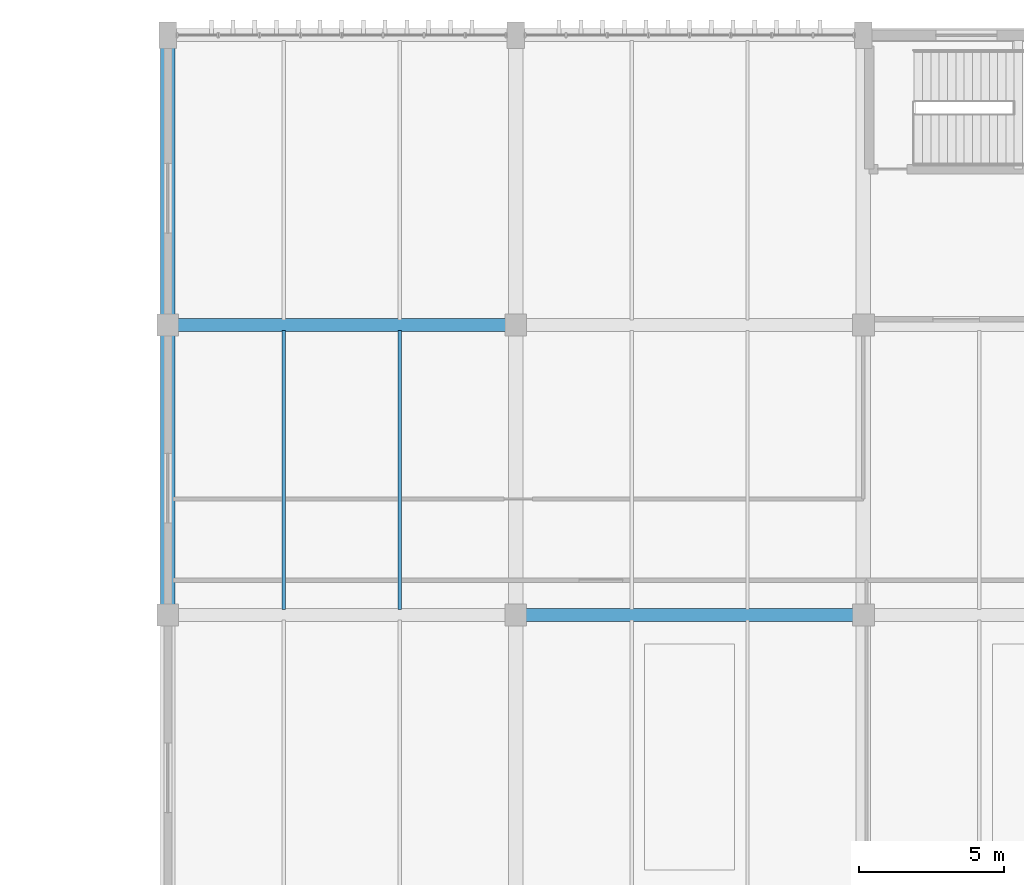
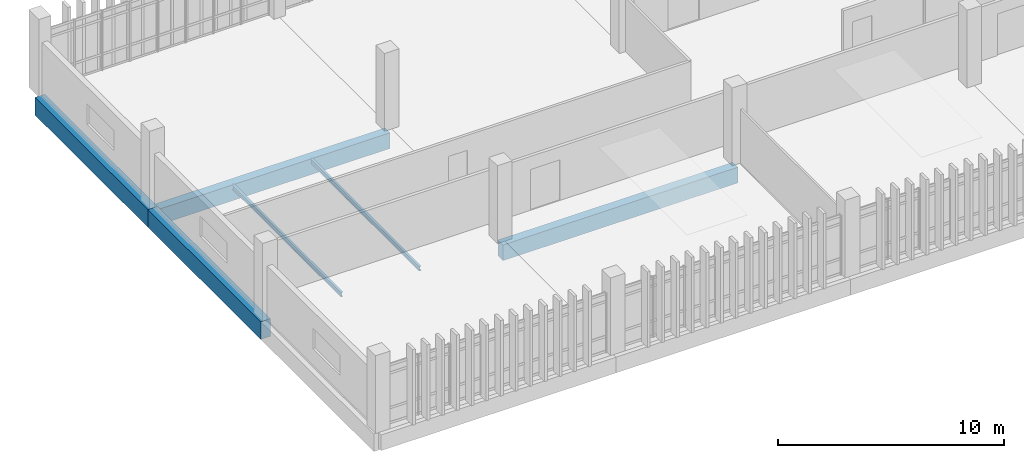
# One storey, part 28 of 111: 6 beams.
"""IFC4 building model written with IfcOpenShell, lengths in metres."""

from ifc_helpers import new_model, si_unit, direction, frame, origin, origin_2d, place, context, subcontext, project, spatial, rectangle, i_section, extrude, material, material_profile, profile_set, type_object, element, save


model = new_model("IFC4")

# Units and contexts
model_context = context("Model", 3, precision=1e-05, world=origin(), true_north=direction((0.0, 1.0)))
body_context = subcontext(model_context, "Body", "Model", "MODEL_VIEW")
ifc_project = project(units=[si_unit("LENGTHUNIT", "METRE"), si_unit("AREAUNIT", "SQUARE_METRE"), si_unit("VOLUMEUNIT", "CUBIC_METRE"), si_unit("PLANEANGLEUNIT", "RADIAN"), si_unit("MASSUNIT", "GRAM", prefix="KILO")], contexts=[model_context])

# Site, building, storey
site_placement = place(None, origin())
site = spatial("IfcSite", under=ifc_project, at=site_placement, CompositionType="ELEMENT")
building_placement = place(site_placement, origin())
building = spatial("IfcBuilding", under=site, at=building_placement, Name="Mersad Railyard Sports Hall", CompositionType="ELEMENT")
storey_placement = place(building_placement, frame((0.0, 0.0, 9.0)))
storey = spatial("IfcBuildingStorey", under=building, at=storey_placement, Name="L02", CompositionType="ELEMENT", Elevation=9.0)

# Beams
ifc_material_1 = material(Name="Concrete C40/50", Category="concrete")
ifc_material_profile_1 = material_profile(ifc_material_1, rectangle(XDim=0.449951171875, YDim=0.85009765625, at=origin_2d()), Name="RC 450x850")
ifc_profile_set_1 = profile_set([ifc_material_profile_1], Name="Concrete C40/50")
beam_type_1 = type_object("IfcBeamType", Name="STR-BM-B02", PredefinedType="BEAM", material=ifc_profile_set_1)
for number, where, z_axis, x_axis, name in (
    (1, (55.0, 95.0, -0.72509765625), (1.0, 0.0, 0.0), (0.0, 1.0, 0.0), "Beam B02-1074"),
    (2, (43.0, 105.0, -0.72509765625), (1.0, 0.0, 0.0), (0.0, 1.0, 0.0), "Beam B02-1081"),
):
    element("IfcBeam", number, at=place(storey_placement, frame(where, z_axis=z_axis, x_axis=x_axis)), inside=storey, type_object=beam_type_1, Name=name, PredefinedType="BEAM", context=body_context, shape_type="SweptSolid", body=[
        extrude(rectangle(XDim=0.449951171875, YDim=0.85009765625, at=origin_2d()), origin(), (0.0, 0.0, 1.0), 12.0),
    ])
ifc_material_2 = material(Name="Concrete C50/60", Category="concrete")
ifc_material_profile_2 = material_profile(ifc_material_2, rectangle(XDim=0.5, YDim=0.949951171875, at=origin_2d()), Name="RC 500x950")
ifc_profile_set_2 = profile_set([ifc_material_profile_2], Name="Concrete C50/60")
beam_type_2 = type_object("IfcBeamType", Name="STR-BM-B03", PredefinedType="BEAM", material=ifc_profile_set_2)
for number, where, z_axis, x_axis, name in (
    (3, (43.0, 95.0, -0.77490234375), (0.0, 1.0, 0.0), (-1.0, 0.0, 0.0), "Beam B03-1098"),
    (4, (43.0, 105.0, -0.77490234375), (0.0, 1.0, 0.0), (-1.0, 0.0, 0.0), "Beam B03-1099"),
):
    element("IfcBeam", number, at=place(storey_placement, frame(where, z_axis=z_axis, x_axis=x_axis)), inside=storey, type_object=beam_type_2, Name=name, PredefinedType="BEAM", context=body_context, shape_type="SweptSolid", body=[
        extrude(rectangle(XDim=0.5, YDim=0.949951171875, at=origin_2d()), origin(), (0.0, 0.0, 1.0), 10.0),
    ])
ifc_material_3 = material(Name="Steel S355", Category="steel")
ifc_material_profile_3 = material_profile(ifc_material_3, i_section(OverallWidth=0.1201171875, OverallDepth=0.239990234375, WebThickness=0.006103515625, FlangeThickness=0.009765625, at=origin_2d()), Name="IPE 240")
ifc_profile_set_3 = profile_set([ifc_material_profile_3], Name="Steel S355")
beam_type_3 = type_object("IfcBeamType", Name="STR-BM-SB03", PredefinedType="BEAM", material=ifc_profile_set_3)
for number, where, z_axis, x_axis, name in (
    (5, (47.0, 95.179931640625, -0.419921875), (0.0, 1.0, 0.0), (-1.0, 0.0, 0.0), "Beam SB03-1151"),
    (6, (51.0, 95.179931640625, -0.419921875), (0.0, 1.0, 0.0), (-1.0, 0.0, 0.0), "Beam SB03-1152"),
):
    element("IfcBeam", number, at=place(storey_placement, frame(where, z_axis=z_axis, x_axis=x_axis)), inside=storey, type_object=beam_type_3, Name=name, PredefinedType="BEAM", context=body_context, shape_type="SweptSolid", body=[
        extrude(i_section(OverallWidth=0.1201171875, OverallDepth=0.239990234375, WebThickness=0.006103515625, FlangeThickness=0.009765625, at=origin_2d()), origin(), (0.0, 0.0, 1.0), 9.64013671875),
    ])

save(model, "model.ifc")
